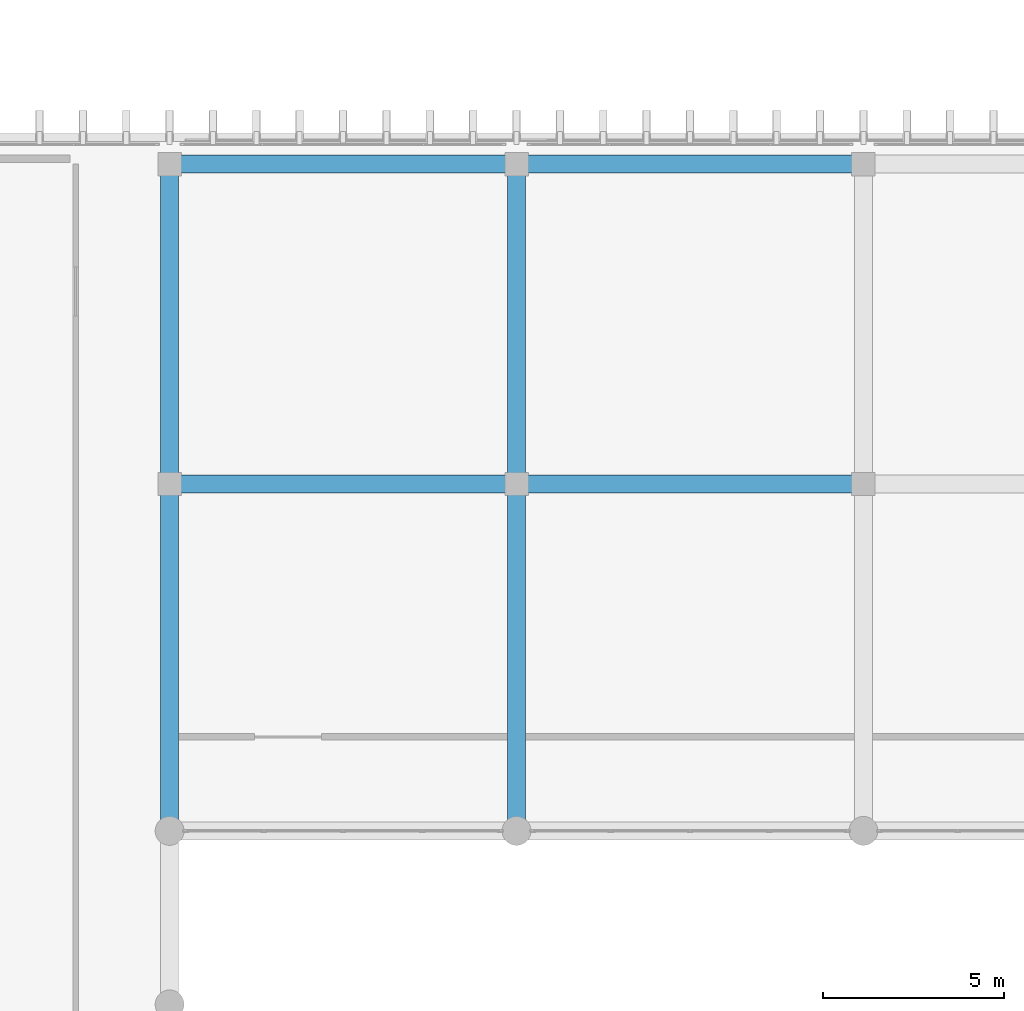
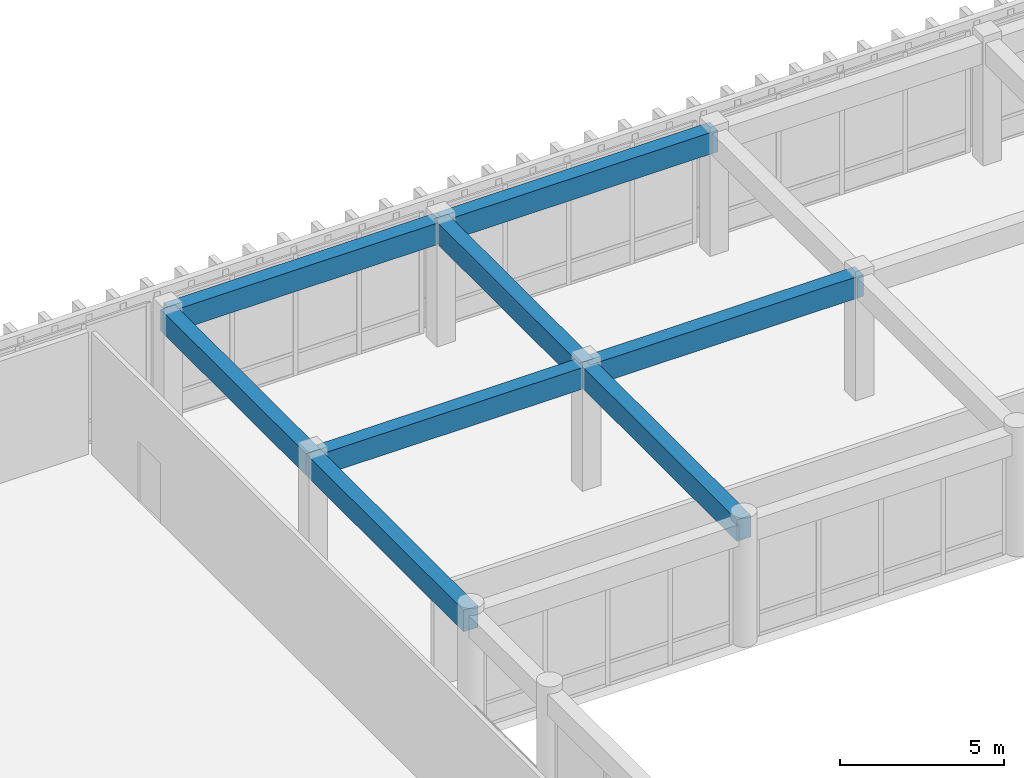
# One storey, part 21 of 101: 8 beams.
"""IFC4 building model written with IfcOpenShell, lengths in metres."""

from ifc_helpers import new_model, si_unit, direction, frame, origin, origin_2d, place, context, subcontext, project, spatial, rectangle, extrude, material, material_profile, profile_set, type_object, element, save


model = new_model("IFC4")

# Units and contexts
model_context = context("Model", 3, precision=1e-05, world=origin(), true_north=direction((0.0, 1.0)))
body_context = subcontext(model_context, "Body", "Model", "MODEL_VIEW")
ifc_project = project(units=[si_unit("LENGTHUNIT", "METRE"), si_unit("AREAUNIT", "SQUARE_METRE"), si_unit("VOLUMEUNIT", "CUBIC_METRE"), si_unit("PLANEANGLEUNIT", "RADIAN"), si_unit("MASSUNIT", "GRAM", prefix="KILO")], contexts=[model_context])

# Site, building, storey
site_placement = place(None, origin())
site = spatial("IfcSite", under=ifc_project, at=site_placement, CompositionType="ELEMENT")
building_placement = place(site_placement, origin())
building = spatial("IfcBuilding", under=site, at=building_placement, Name="Nakhvara Creek Congress Hotel", CompositionType="ELEMENT")
storey_placement = place(building_placement, frame((0.0, 0.0, 16.199951171875)))
storey = spatial("IfcBuildingStorey", under=building, at=storey_placement, Name="L03", CompositionType="ELEMENT", Elevation=16.199951171875)

# Beams
ifc_material = material(Name="Concrete C40/50", Category="concrete")
ifc_material_profile = material_profile(ifc_material, rectangle(XDim=0.5, YDim=0.800048828125, at=origin_2d()), Name="RC-BM 500x800", Category="LoadBearing")
ifc_profile_set = profile_set([ifc_material_profile], Name="Concrete C40/50")
beam_type = type_object("IfcBeamType", Name="BM-RC-500X800", PredefinedType="BEAM", material=ifc_profile_set)
beam_1_placement = place(storey_placement, frame((76.800048828125, 76.800048828125, 4.14013671875), z_axis=(0.0, 1.0, 0.0), x_axis=(-1.0, 0.0, 0.0)))
element("IfcBeam", 1, at=beam_1_placement, inside=storey, type_object=beam_type, Name="Beam B03-L03-1712", PredefinedType="BEAM", context=body_context, shape_type="SweptSolid", body=[
    extrude(rectangle(XDim=0.5, YDim=0.800048828125, at=origin_2d()), origin(), (0.0, 0.0, 1.0), 9.599853515625),
])
beam_2_placement = place(storey_placement, frame((76.800048828125, 86.39990234375, 4.14013671875), z_axis=(0.0, 1.0, 0.0), x_axis=(-1.0, 0.0, 0.0)))
element("IfcBeam", 2, at=beam_2_placement, inside=storey, type_object=beam_type, Name="Beam B03-L03-1714", PredefinedType="BEAM", context=body_context, shape_type="SweptSolid", body=[
    extrude(rectangle(XDim=0.5, YDim=0.800048828125, at=origin_2d()), origin(), (0.0, 0.0, 1.0), 8.85009765625),
])
for number, where, z_axis, x_axis, name in (
    (3, (76.800048828125, 86.39990234375, 4.14013671875), (1.0, 0.0, 0.0), (0.0, 1.0, 0.0), "Beam B03-L03-1715"),
    (4, (76.800048828125, 95.25, 4.14013671875), (1.0, 0.0, 0.0), (0.0, 1.0, 0.0), "Beam B03-L03-1716"),
    (5, (86.39990234375, 76.800048828125, 4.14013671875), (0.0, 1.0, 0.0), (-1.0, 0.0, 0.0), "Beam B03-L03-1722"),
):
    element("IfcBeam", number, at=place(storey_placement, frame(where, z_axis=z_axis, x_axis=x_axis)), inside=storey, type_object=beam_type, Name=name, PredefinedType="BEAM", context=body_context, shape_type="SweptSolid", body=[
        extrude(rectangle(XDim=0.5, YDim=0.800048828125, at=origin_2d()), origin(), (0.0, 0.0, 1.0), 9.599853515625),
    ])
beam_3_placement = place(storey_placement, frame((86.39990234375, 86.39990234375, 4.14013671875), z_axis=(0.0, 1.0, 0.0), x_axis=(-1.0, 0.0, 0.0)))
element("IfcBeam", 6, at=beam_3_placement, inside=storey, type_object=beam_type, Name="Beam B03-L03-1724", PredefinedType="BEAM", context=body_context, shape_type="SweptSolid", body=[
    extrude(rectangle(XDim=0.5, YDim=0.800048828125, at=origin_2d()), origin(), (0.0, 0.0, 1.0), 8.85009765625),
])
for number, where, z_axis, x_axis, name in (
    (7, (86.39990234375, 86.39990234375, 4.14013671875), (1.0, 0.0, 0.0), (0.0, 1.0, 0.0), "Beam B03-L03-1725"),
    (8, (86.39990234375, 95.25, 4.14013671875), (1.0, 0.0, 0.0), (0.0, 1.0, 0.0), "Beam B03-L03-1726"),
):
    element("IfcBeam", number, at=place(storey_placement, frame(where, z_axis=z_axis, x_axis=x_axis)), inside=storey, type_object=beam_type, Name=name, PredefinedType="BEAM", context=body_context, shape_type="SweptSolid", body=[
        extrude(rectangle(XDim=0.5, YDim=0.800048828125, at=origin_2d()), origin(), (0.0, 0.0, 1.0), 9.60009765625),
    ])

save(model, "model.ifc")
